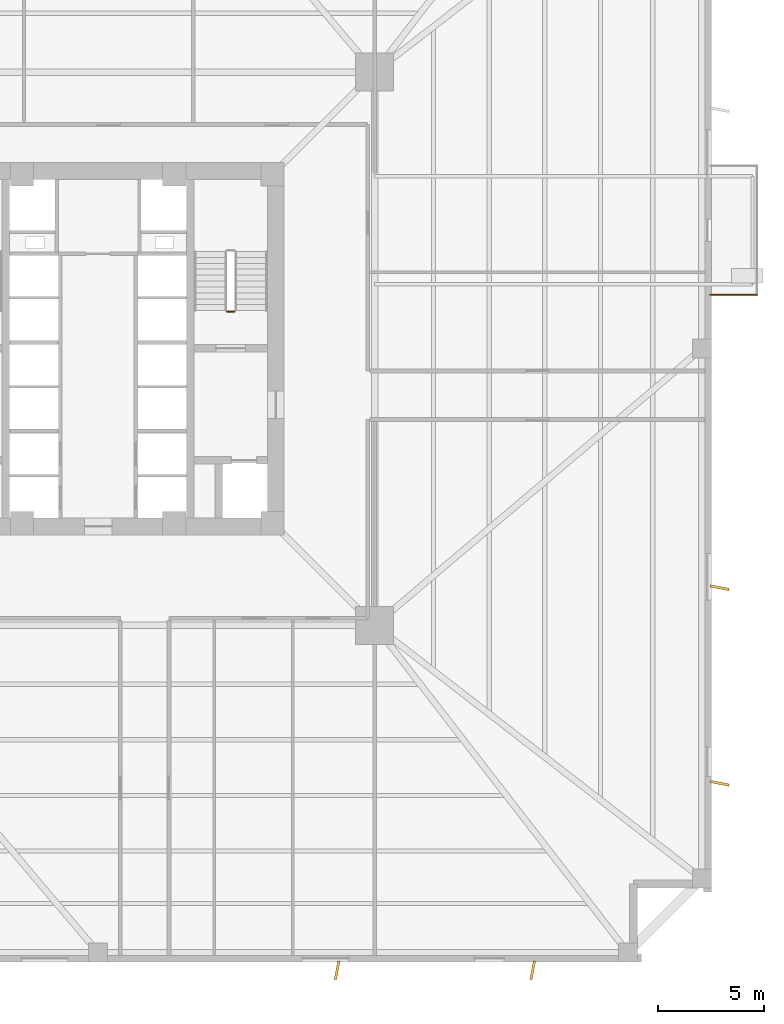
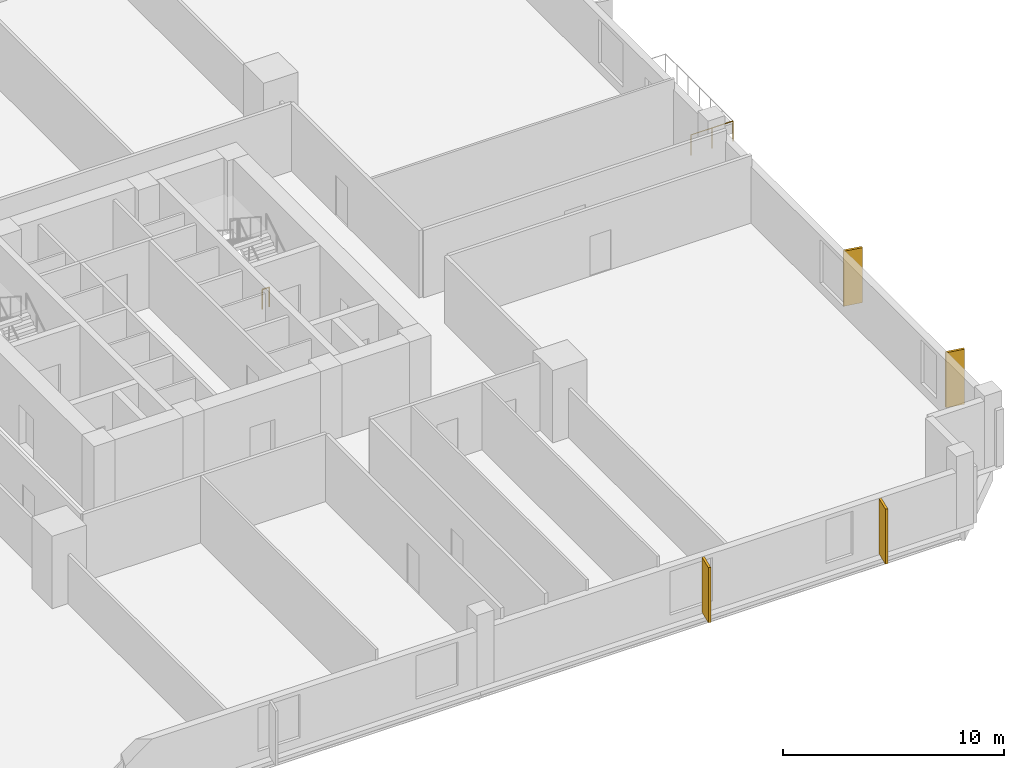
# One storey, part 7 of 9: 4 coverings, 2 railings.
"""IFC4 building model written with IfcOpenShell, lengths in metres."""

from ifc_helpers import new_model, si_unit, direction, frame, origin, origin_2d, place, context, subcontext, project, spatial, rectangle, circle, extrude, source, transform, mapped, material, layer, layer_set, type_object, element, save


model = new_model("IFC4")

# Units and contexts
model_context = context("Model", 3, precision=1e-05, world=origin(), true_north=direction((0.0, 1.0)))
body_context = subcontext(model_context, "Body", "Model", "MODEL_VIEW")
ifc_project = project(units=[si_unit("LENGTHUNIT", "METRE"), si_unit("AREAUNIT", "SQUARE_METRE"), si_unit("VOLUMEUNIT", "CUBIC_METRE"), si_unit("PLANEANGLEUNIT", "RADIAN"), si_unit("MASSUNIT", "GRAM", prefix="KILO"), si_unit("THERMODYNAMICTEMPERATUREUNIT", "KELVIN")], contexts=[model_context])

# Site, building, storey
site_placement = place(None, origin())
site = spatial("IfcSite", under=ifc_project, at=site_placement, CompositionType="ELEMENT")
building_placement = place(site_placement, origin())
building = spatial("IfcBuilding", under=site, at=building_placement, Name="Kosmvard Interchange Tower", CompositionType="ELEMENT")
storey_placement = place(building_placement, frame((0.0, 0.0, 70.0)))
storey = spatial("IfcBuildingStorey", under=building, at=storey_placement, Name="L16", CompositionType="ELEMENT", Elevation=70.0)

# Coverings
ifc_material_1 = material(Name="Architectural anodised aluminium", Category="aluminium")
ifc_layer = layer(ifc_material_1, 0.1201171875, Name="Architectural anodised aluminium")
ifc_layer_set = layer_set([ifc_layer], Name="Architectural anodised aluminium")
covering_type = type_object("IfcCoveringType", Name="Rotating Vertical Sun-Breaker Fin 900x120 Aluminium", PredefinedType="CLADDING", material=ifc_layer_set)
shared_shape_1 = source(origin(), body_context, "Body", "SweptSolid", [
    extrude(rectangle(XDim=0.89990234375, YDim=0.1201171875, at=origin_2d()), origin(), (0.0, 0.0, 1.0), 3.0400390625),
])
for number, where, z_axis, x_axis, name in (
    (1, (11.3037109375, -29.39990234375, 0.0400390625), (0.0, 0.0, 1.0), (-0.191494253877, -0.981493734433, 0.0), "L16 Rotating Vertical Sun-Breaker Fin 03"),
    (2, (20.552001953125, -29.39990234375, 0.0400390625), (0.0, 0.0, 1.0), (-0.191494253877, -0.981493734433, 0.0), "L16 Rotating Vertical Sun-Breaker Fin 04"),
    (3, (29.39990234375, -20.552001953125, 0.0400390625), (0.0, 0.0, 1.0), (0.981493734433, -0.191494253877, 0.0), "L16 Rotating Vertical Sun-Breaker Fin 05"),
    (4, (29.39990234375, -11.3037109375, 0.0400390625), (0.0, 0.0, 1.0), (0.981493734433, -0.191494253877, 0.0), "L16 Rotating Vertical Sun-Breaker Fin 06"),
):
    element("IfcCovering", number, at=place(storey_placement, frame(where, z_axis=z_axis, x_axis=x_axis)), inside=storey, type_object=covering_type, Name=name, PredefinedType="CLADDING", context=body_context, shape_type="MappedRepresentation", body=[
        mapped(shared_shape_1, transform((0.0, 0.0, 0.0), scale=1.0)),
    ])

# Railings
ifc_material_2 = material(Name="Steel S355", Category="steel")
railing_type_1 = type_object("IfcRailingType", Name="Observation & Balcony Glass-Infill Balustrade 1150", PredefinedType="BALUSTRADE", material=ifc_material_2)
shared_shape_2 = source(origin(), body_context, "Body", "SweptSolid", [
    extrude(circle(Radius=0.02392578125, at=origin_2d()), frame((0.0, 0.0, 1.1259765625), z_axis=(1.0, 0.0, 0.0), x_axis=(0.0, 1.0, 0.0)), (0.0, 0.0, 1.0), 2.199951171875),
    extrude(circle(Radius=0.02099609375, at=origin_2d()), origin(), (0.0, 0.0, 1.0), 1.101806640625),
    extrude(circle(Radius=0.02099609375, at=origin_2d()), frame((1.10009765625, 0.0, 0.0)), (0.0, 0.0, 1.0), 1.101806640625),
    extrude(circle(Radius=0.02099609375, at=origin_2d()), frame((2.199951171875, 0.0, 0.0)), (0.0, 0.0, 1.0), 1.101806640625),
])
railing_1_placement = place(storey_placement, frame((28.949951171875, 2.550048828125, 0.0)))
element("IfcRailing", 5, at=railing_1_placement, inside=storey, type_object=railing_type_1, Name="L16 Outdoor Terrace Guard BAL-L16-E-A", PredefinedType="BALUSTRADE", context=body_context, shape_type="MappedRepresentation", body=[
    mapped(shared_shape_2, transform((0.0, 0.0, 0.0), scale=1.0)),
])
railing_type_2 = type_object("IfcRailingType", Name="Stair & Terrace Safety Guardrail 1100 Steel", PredefinedType="GUARDRAIL", material=ifc_material_2)
shared_shape_3 = source(origin(), body_context, "Body", "SweptSolid", [
    extrude(circle(Radius=0.02392578125, at=origin_2d()), frame((0.0, 0.0, 1.076171875), z_axis=(-1.0, 0.0, 0.0), x_axis=(0.0, -1.0, 0.0)), (0.0, 0.0, 1.0), 0.35986328125),
    extrude(circle(Radius=0.02099609375, at=origin_2d()), origin(), (0.0, 0.0, 1.0), 1.052001953125),
    extrude(circle(Radius=0.02099609375, at=origin_2d()), frame((-0.35986328125, 0.0, 0.0)), (0.0, 0.0, 1.0), 1.052001953125),
])
railing_2_placement = place(storey_placement, frame((6.449951171875, 1.75, 0.0)))
element("IfcRailing", 6, at=railing_2_placement, inside=storey, type_object=railing_type_2, Name="L16 ST-2 stair guard 4", PredefinedType="GUARDRAIL", context=body_context, shape_type="MappedRepresentation", body=[
    mapped(shared_shape_3, transform((0.0, 0.0, 0.0), scale=1.0)),
])

save(model, "model.ifc")
